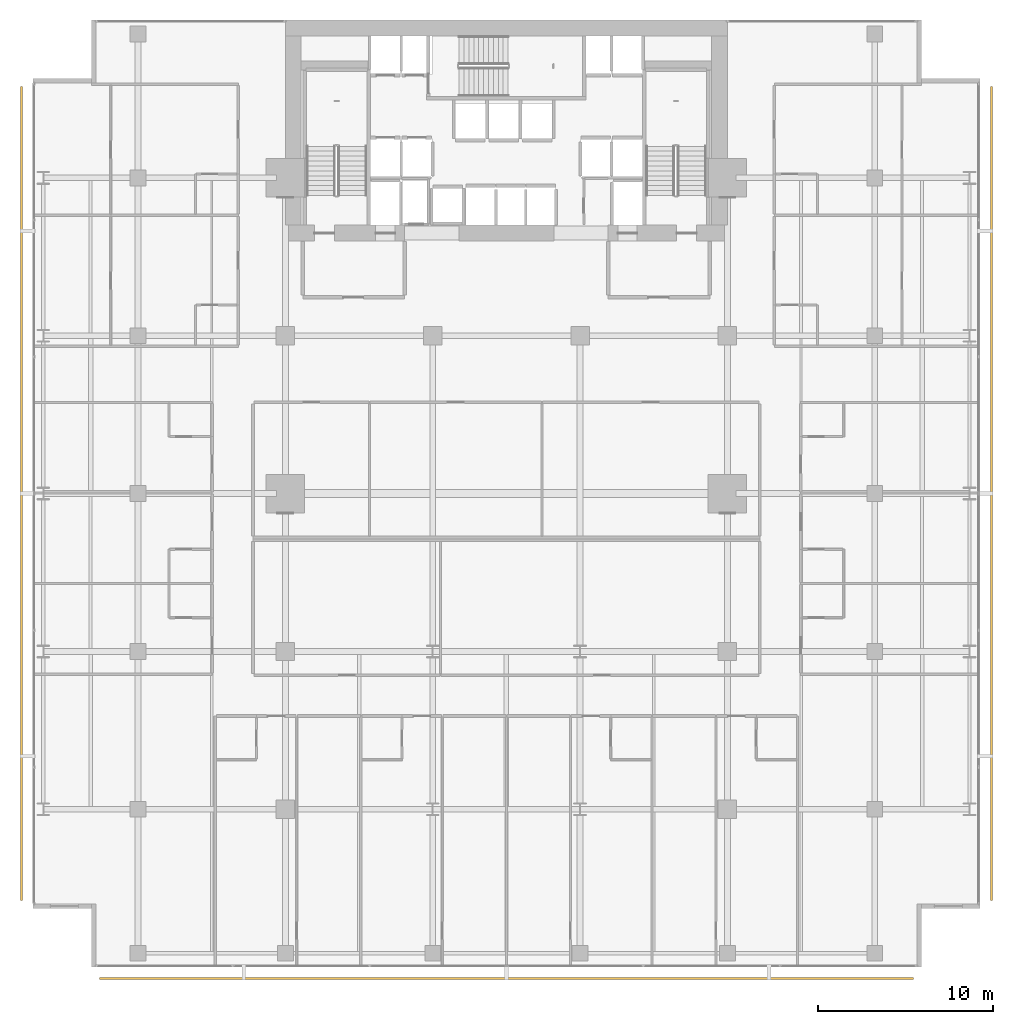
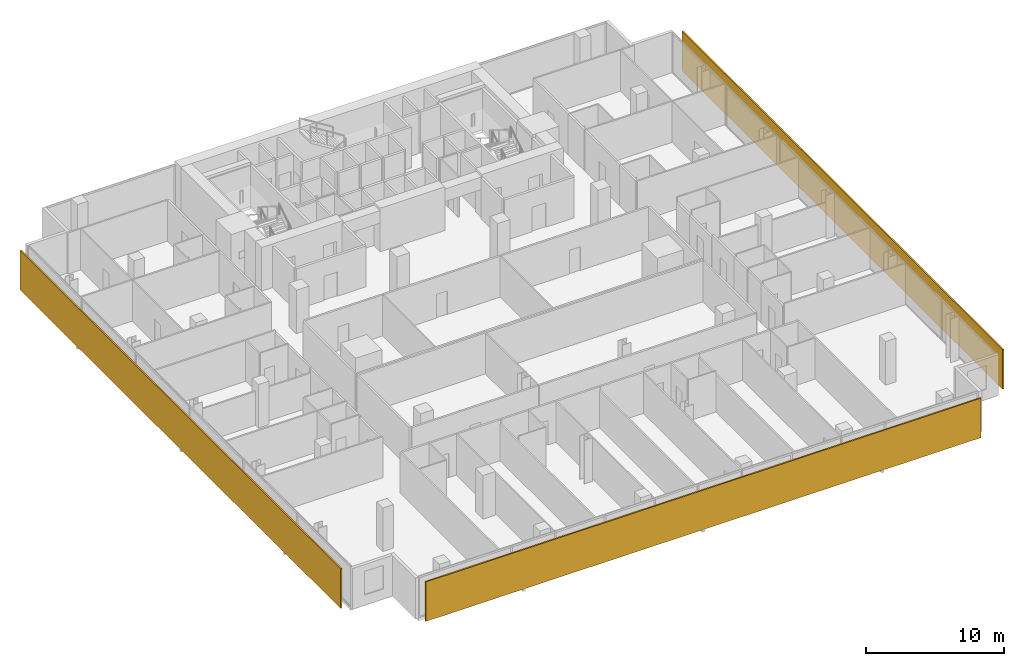
# One storey, part 38 of 39: 3 shading devices.
"""IFC4 building model written with IfcOpenShell, lengths in metres."""

from ifc_helpers import new_model, si_unit, direction, frame, origin, origin_2d, place, context, subcontext, project, spatial, rectangle, extrude, material, layer, layer_set, type_object, element, save


model = new_model("IFC4")

# Units and contexts
model_context = context("Model", 3, precision=1e-05, world=origin(), true_north=direction((0.0, 1.0)))
body_context = subcontext(model_context, "Body", "Model", "MODEL_VIEW")
ifc_project = project(units=[si_unit("LENGTHUNIT", "METRE"), si_unit("AREAUNIT", "SQUARE_METRE"), si_unit("VOLUMEUNIT", "CUBIC_METRE"), si_unit("PLANEANGLEUNIT", "RADIAN"), si_unit("MASSUNIT", "GRAM", prefix="KILO")], contexts=[model_context])

# Site, building, storey
site_placement = place(None, origin())
site = spatial("IfcSite", under=ifc_project, at=site_placement, CompositionType="ELEMENT")
building_placement = place(site_placement, origin())
building = spatial("IfcBuilding", under=site, at=building_placement, Name="Maruvema Waterfront Hotel and Observation Tower", CompositionType="ELEMENT")
storey_placement = place(building_placement, frame((0.0, 0.0, 46.199951171875)))
storey = spatial("IfcBuildingStorey", under=building, at=storey_placement, Name="L10", CompositionType="ELEMENT", Elevation=46.199951171875)

# Shading devices
ifc_material = material(Name="Honed travertine stone and anodised architectural bronze", Category="masonry")
ifc_layer = layer(ifc_material, 0.1201171875, Name="Ventilated Outer Skin Cobogo Stone-and-Bronze Screen 120 mm")
ifc_layer_set = layer_set([ifc_layer], Name="Honed travertine stone and anodised architectural bronze")
shading_device_type = type_object("IfcShadingDeviceType", Name="Ventilated Outer Skin Cobogo Stone-and-Bronze Screen 120 mm", PredefinedType="USERDEFINED", material=ifc_layer_set)
for number, where, z_axis, x_axis, name in (
    (1, (37.800048828125, -0.64990234375, 0.06005859375), (0.0, 0.0, 1.0), (1.0, 0.0, 0.0), "L10 Ventilated Double-Skin Outer Cobogo Screen OS-L10-S"),
    (2, (65.449951171875, 27.0, 0.06005859375), (0.0, 0.0, 1.0), (0.0, 1.0, 0.0), "L10 Ventilated Double-Skin Outer Cobogo Screen OS-L10-E"),
    (3, (10.14990234375, 27.0, 0.06005859375), (0.0, 0.0, 1.0), (0.0, -1.0, 0.0), "L10 Ventilated Double-Skin Outer Cobogo Screen OS-L10-W"),
):
    element("IfcShadingDevice", number, at=place(storey_placement, frame(where, z_axis=z_axis, x_axis=x_axis)), inside=storey, type_object=shading_device_type, Name=name, ObjectType="OUTER SKIN SCREEN", PredefinedType="USERDEFINED", context=body_context, shape_type="SweptSolid", body=[
        extrude(rectangle(XDim=46.39990234375, YDim=0.1201171875, at=origin_2d()), origin(), (0.0, 0.0, 1.0), 3.489990234375),
    ])

save(model, "model.ifc")
